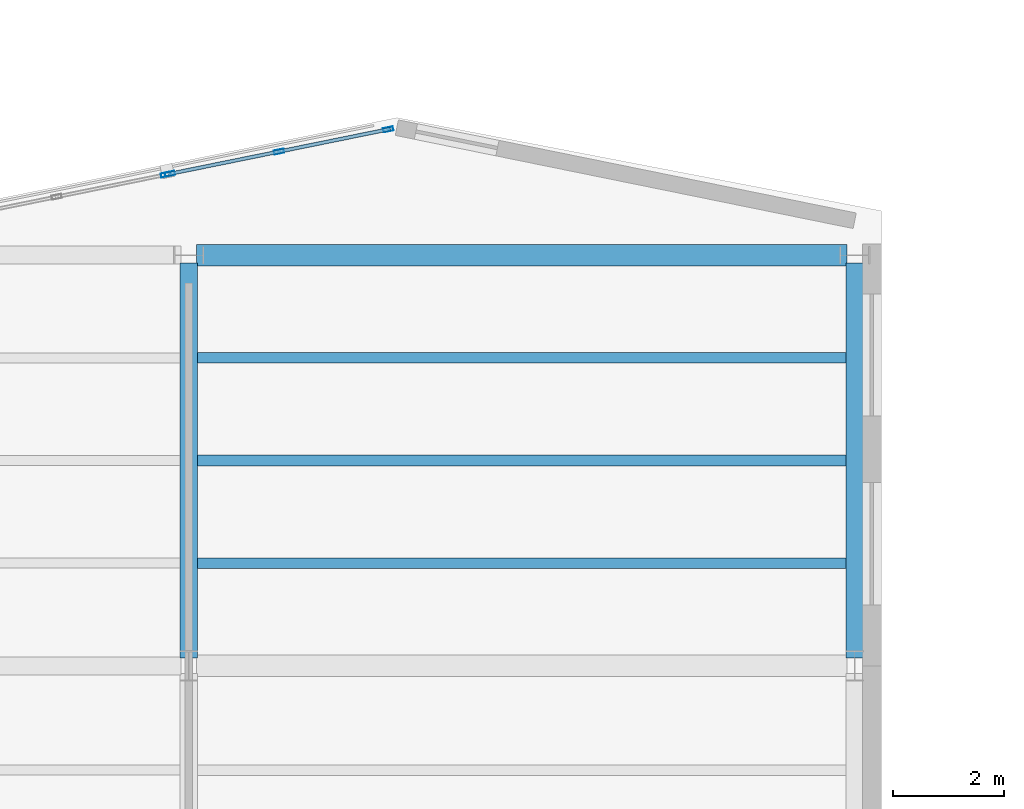
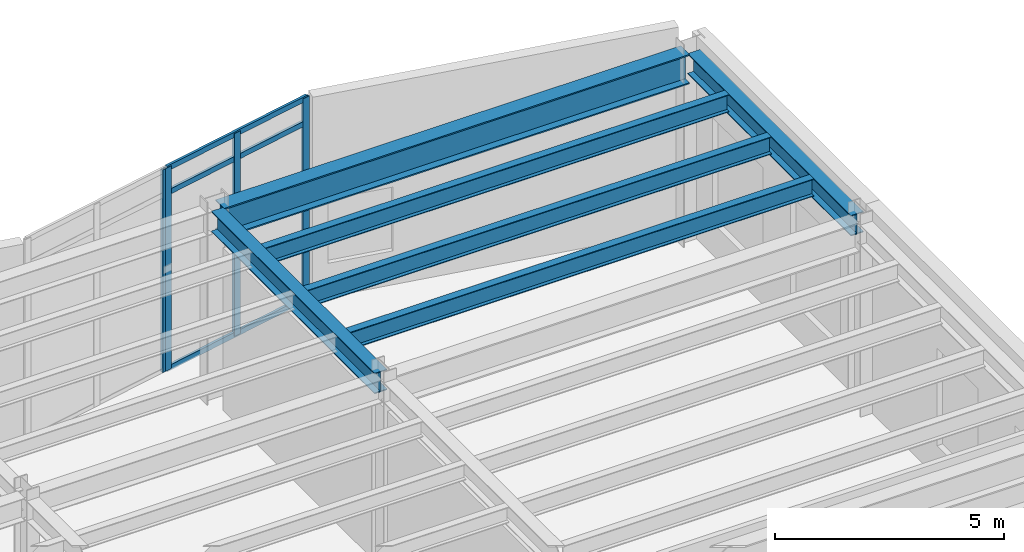
# One storey, part 65 of 98: 7 members, 6 beams, 2 elements without a shape of their own.
"""IFC4 building model written with IfcOpenShell, lengths in metres."""

from ifc_helpers import new_model, si_unit, direction, frame, origin, origin_2d, place, context, subcontext, project, spatial, hollow_rectangle, i_section, extrude, material, layer, layer_set, material_profile, profile_set, type_object, element, aggregate, save


model = new_model("IFC4")

# Units and contexts
model_context = context("Model", 3, precision=1e-05, world=origin(), true_north=direction((0.0, 1.0)))
body_context = subcontext(model_context, "Body", "Model", "MODEL_VIEW")
ifc_project = project(units=[si_unit("LENGTHUNIT", "METRE"), si_unit("AREAUNIT", "SQUARE_METRE"), si_unit("VOLUMEUNIT", "CUBIC_METRE"), si_unit("PLANEANGLEUNIT", "RADIAN"), si_unit("MASSUNIT", "GRAM", prefix="KILO")], contexts=[model_context])

# Site, building, storey
site_placement = place(None, origin())
site = spatial("IfcSite", under=ifc_project, at=site_placement, CompositionType="ELEMENT")
building_placement = place(site_placement, origin())
building = spatial("IfcBuilding", under=site, at=building_placement, Name="Sollismere Congress Hotel", CompositionType="ELEMENT")
storey_placement = place(building_placement, frame((0.0, 0.0, 5.39990234375)))
storey = spatial("IfcBuildingStorey", under=building, at=storey_placement, Name="L01", CompositionType="ELEMENT", Elevation=5.39990234375)

# Beams
ifc_material_1 = material(Name="Steel ASTM A992 Grade 50", Category="steel")
ifc_material_profile_1 = material_profile(ifc_material_1, i_section(OverallWidth=0.31494140625, OverallDepth=0.551025390625, WebThickness=0.01513671875, FlangeThickness=0.0244140625, at=origin_2d()), Name="W21X122")
ifc_profile_set_1 = profile_set([ifc_material_profile_1], Name="Steel ASTM A992 Grade 50")
beam_type_1 = type_object("IfcBeamType", Name="BM-G21H", PredefinedType="BEAM", material=ifc_profile_set_1)
for number, where, z_axis, x_axis, name in (
    (1, (112.0, 95.139892578125, 4.844482421875), (0.0, 1.0, 0.0), (-1.0, 0.0, 0.0), "Beam BM-L01-1689"),
    (2, (124.0, 95.139892578125, 4.844482421875), (0.0, 1.0, 0.0), (-1.0, 0.0, 0.0), "Beam BM-L01-1700"),
):
    element("IfcBeam", number, at=place(storey_placement, frame(where, z_axis=z_axis, x_axis=x_axis)), inside=storey, type_object=beam_type_1, Name=name, PredefinedType="BEAM", context=body_context, shape_type="SweptSolid", body=[
        extrude(i_section(OverallWidth=0.31494140625, OverallDepth=0.551025390625, WebThickness=0.01513671875, FlangeThickness=0.0244140625, at=origin_2d()), origin(), (0.0, 0.0, 1.0), 7.1201171875),
    ])
ifc_material_profile_2 = material_profile(ifc_material_1, i_section(OverallWidth=0.384033203125, OverallDepth=0.787109375, WebThickness=0.019775390625, FlangeThickness=0.033447265625, at=origin_2d()), Name="W30X211")
ifc_profile_set_2 = profile_set([ifc_material_profile_2], Name="Steel ASTM A992 Grade 50")
beam_type_2 = type_object("IfcBeamType", Name="BM-G30", PredefinedType="BEAM", material=ifc_profile_set_2)
beam_placement = place(storey_placement, frame((112.139892578125, 102.39990234375, 4.7265625), z_axis=(1.0, 0.0, 0.0), x_axis=(0.0, 1.0, 0.0)))
element("IfcBeam", 3, at=beam_placement, inside=storey, type_object=beam_type_2, Name="Beam BM-L01-1622", PredefinedType="BEAM", context=body_context, shape_type="SweptSolid", body=[
    extrude(i_section(OverallWidth=0.384033203125, OverallDepth=0.787109375, WebThickness=0.019775390625, FlangeThickness=0.033447265625, at=origin_2d()), origin(), (0.0, 0.0, 1.0), 11.72021484375),
])
ifc_material_profile_3 = material_profile(ifc_material_1, i_section(OverallWidth=0.193115234375, OverallDepth=0.467041015625, WebThickness=0.011474609375, FlangeThickness=0.01904296875, at=origin_2d()), Name="W18X65")
ifc_profile_set_3 = profile_set([ifc_material_profile_3], Name="Steel ASTM A992 Grade 50")
beam_type_3 = type_object("IfcBeamType", Name="BM-J18", PredefinedType="JOIST", material=ifc_profile_set_3)
for number, where, z_axis, x_axis, name in (
    (4, (112.157470703125, 96.85009765625, 4.88671875), (1.0, 0.0, 0.0), (0.0, 1.0, 0.0), "Beam BM-L01-1901"),
    (5, (112.157470703125, 98.699951171875, 4.88671875), (1.0, 0.0, 0.0), (0.0, 1.0, 0.0), "Beam BM-L01-1902"),
    (6, (112.157470703125, 100.550048828125, 4.88671875), (1.0, 0.0, 0.0), (0.0, 1.0, 0.0), "Beam BM-L01-1903"),
):
    element("IfcBeam", number, at=place(storey_placement, frame(where, z_axis=z_axis, x_axis=x_axis)), inside=storey, type_object=beam_type_3, Name=name, PredefinedType="JOIST", context=body_context, shape_type="SweptSolid", body=[
        extrude(i_section(OverallWidth=0.193115234375, OverallDepth=0.467041015625, WebThickness=0.011474609375, FlangeThickness=0.01904296875, at=origin_2d()), origin(), (0.0, 0.0, 1.0), 11.68505859375),
    ])

# Curtain wall, member
ifc_material_2 = material(Name="Anodized Bronze Curtain Wall & Low-E Triple Glazing", Category="glass")
ifc_layer = layer(ifc_material_2, 0.199951171875, Name="Anodized Bronze Curtain Wall & Low-E Triple Glazing")
ifc_layer_set = layer_set([ifc_layer], Name="Anodized Bronze Curtain Wall & Low-E Triple Glazing")
curtain_wall_type = type_object("IfcCurtainWallType", Name="CW-GLZ36", PredefinedType="USERDEFINED", material=ifc_layer_set)
curtain_wall_1_placement = place(storey_placement, origin())
curtain_wall_1 = element("IfcCurtainWall", 7, at=curtain_wall_1_placement, inside=storey, type_object=curtain_wall_type, Name="Unitised curtain wall CW-L01-087", ObjectType="UNITISED CURTAIN WALL", PredefinedType="USERDEFINED")
ifc_material_3 = material(Name="Anodized Aluminum 6063-T6", Category="aluminium")
ifc_material_profile_4 = material_profile(ifc_material_3, hollow_rectangle(XDim=0.074951171875, YDim=0.179931640625, WallThickness=0.0048828125, at=origin_2d()), Name="ALU180X75X5")
ifc_profile_set_4 = profile_set([ifc_material_profile_4], Name="Anodized Aluminum 6063-T6")
member_type_1 = type_object("IfcMemberType", Name="ML-CW180", PredefinedType="MULLION", material=ifc_profile_set_4)
member_1_placement = place(storey_placement, frame((111.587890625, 103.851806640625, 0.0), z_axis=(0.0, 0.0, 1.0), x_axis=(-0.199367934417, 0.979924704621, 0.0)))
member_1 = element("IfcMember", 8, at=member_1_placement, type_object=member_type_1, Name="CWL-CW-L01-087-ML03", PredefinedType="MULLION", context=body_context, shape_type="SweptSolid", body=[
    extrude(hollow_rectangle(XDim=0.074951171875, YDim=0.179931640625, WallThickness=0.0048828125, at=origin_2d()), origin(), (0.0, 0.0, 1.0), 5.400146484375),
])
aggregate(curtain_wall_1, [member_1])

# Curtain wall, members
curtain_wall_2_placement = place(storey_placement, origin())
curtain_wall_2 = element("IfcCurtainWall", 9, at=curtain_wall_2_placement, inside=storey, type_object=curtain_wall_type, Name="Unitised curtain wall CW-L01-088", ObjectType="UNITISED CURTAIN WALL", PredefinedType="USERDEFINED")
member_2_placement = place(storey_placement, frame((111.662109375, 103.86669921875, 0.0), z_axis=(0.0, 0.0, 1.0), x_axis=(-0.199367934417, 0.979924704621, 0.0)))
member_2 = element("IfcMember", 10, at=member_2_placement, type_object=member_type_1, Name="CWL-CW-L01-088-ML01", PredefinedType="MULLION", context=body_context, shape_type="SweptSolid", body=[
    extrude(hollow_rectangle(XDim=0.074951171875, YDim=0.179931640625, WallThickness=0.0048828125, at=origin_2d()), origin(), (0.0, 0.0, 1.0), 5.400146484375),
])
member_3_placement = place(storey_placement, frame((113.628662109375, 104.266845703125, 0.0), z_axis=(0.0, 0.0, 1.0), x_axis=(-0.199367934417, 0.979924704621, 0.0)))
member_3 = element("IfcMember", 11, at=member_3_placement, type_object=member_type_1, Name="CWL-CW-L01-088-ML02", PredefinedType="MULLION", context=body_context, shape_type="SweptSolid", body=[
    extrude(hollow_rectangle(XDim=0.074951171875, YDim=0.179931640625, WallThickness=0.0048828125, at=origin_2d()), origin(), (0.0, 0.0, 1.0), 5.400146484375),
])
member_4_placement = place(storey_placement, frame((115.59521484375, 104.6669921875, 0.0), z_axis=(0.0, 0.0, 1.0), x_axis=(-0.199367934417, 0.979924704621, 0.0)))
member_4 = element("IfcMember", 12, at=member_4_placement, type_object=member_type_1, Name="CWL-CW-L01-088-ML03", PredefinedType="MULLION", context=body_context, shape_type="SweptSolid", body=[
    extrude(hollow_rectangle(XDim=0.074951171875, YDim=0.179931640625, WallThickness=0.0048828125, at=origin_2d()), origin(), (0.0, 0.0, 1.0), 5.400146484375),
])
ifc_material_profile_5 = material_profile(ifc_material_3, hollow_rectangle(XDim=0.06494140625, YDim=0.139892578125, WallThickness=0.00390625, at=origin_2d()), Name="ALU140X65X4")
ifc_profile_set_5 = profile_set([ifc_material_profile_5], Name="Anodized Aluminum 6063-T6")
member_type_2 = type_object("IfcMemberType", Name="TR-CW150", PredefinedType="MEMBER", material=ifc_profile_set_5)
member_5_placement = place(storey_placement, frame((111.625, 103.859375, 0.03271484375), z_axis=(0.979930139944, 0.199341217087, 0.0), x_axis=(-0.199341217087, 0.979930139944, 0.0)))
member_5 = element("IfcMember", 13, at=member_5_placement, type_object=member_type_2, Name="CWL-CW-L01-088-TR1", PredefinedType="MEMBER", context=body_context, shape_type="SweptSolid", body=[
    extrude(hollow_rectangle(XDim=0.06494140625, YDim=0.139892578125, WallThickness=0.00390625, at=origin_2d()), origin(), (0.0, 0.0, 1.0), 4.08935546875),
])
member_6_placement = place(storey_placement, frame((111.625, 103.859375, 4.72021484375), z_axis=(0.979930139944, 0.199341217087, 0.0), x_axis=(-0.199341217087, 0.979930139944, 0.0)))
member_6 = element("IfcMember", 14, at=member_6_placement, type_object=member_type_2, Name="CWL-CW-L01-088-TR2", PredefinedType="MEMBER", context=body_context, shape_type="SweptSolid", body=[
    extrude(hollow_rectangle(XDim=0.06494140625, YDim=0.139892578125, WallThickness=0.00390625, at=origin_2d()), origin(), (0.0, 0.0, 1.0), 4.08935546875),
])
member_7_placement = place(storey_placement, frame((111.625, 103.859375, 5.36767578125), z_axis=(0.979930139944, 0.199341217087, 0.0), x_axis=(-0.199341217087, 0.979930139944, 0.0)))
member_7 = element("IfcMember", 15, at=member_7_placement, type_object=member_type_2, Name="CWL-CW-L01-088-TR3", PredefinedType="MEMBER", context=body_context, shape_type="SweptSolid", body=[
    extrude(hollow_rectangle(XDim=0.06494140625, YDim=0.139892578125, WallThickness=0.00390625, at=origin_2d()), origin(), (0.0, 0.0, 1.0), 4.08935546875),
])
aggregate(curtain_wall_2, [member_2, member_3, member_4, member_5, member_6, member_7])

save(model, "model.ifc")
